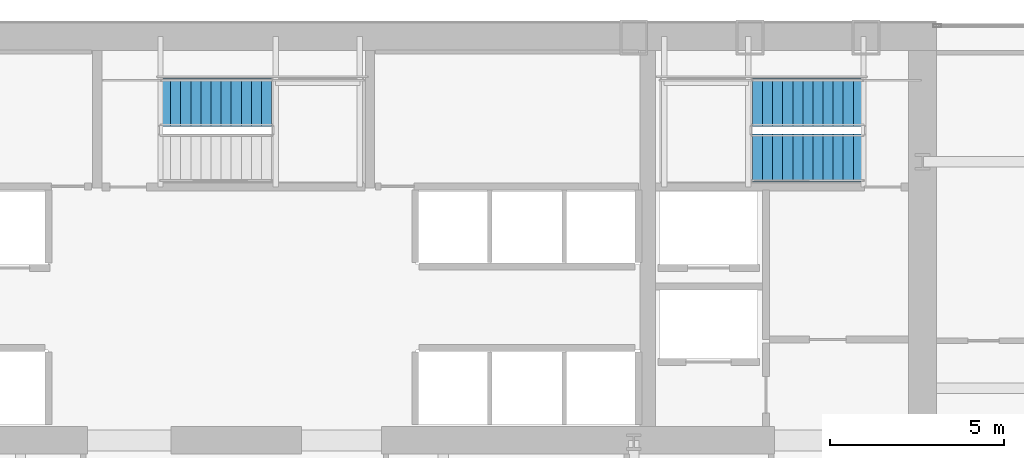
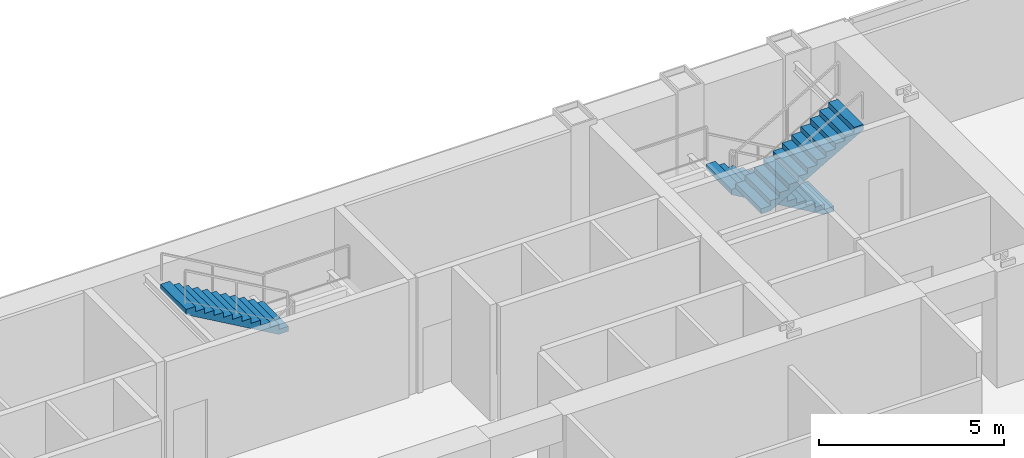
# One storey, part 30 of 32: 3 stair flights, 2 elements without a shape of their own.
"""IFC4 building model written with IfcOpenShell, lengths in metres."""

from ifc_helpers import new_model, si_unit, direction, frame, origin, place, context, subcontext, project, spatial, polyline, outline, extrude, material, type_object, element, aggregate, save


model = new_model("IFC4")

# Units and contexts
model_context = context("Model", 3, precision=1e-05, world=origin(), true_north=direction((0.0, 1.0)))
body_context = subcontext(model_context, "Body", "Model", "MODEL_VIEW")
ifc_project = project(units=[si_unit("LENGTHUNIT", "METRE"), si_unit("AREAUNIT", "SQUARE_METRE"), si_unit("VOLUMEUNIT", "CUBIC_METRE"), si_unit("PLANEANGLEUNIT", "RADIAN"), si_unit("MASSUNIT", "GRAM", prefix="KILO")], contexts=[model_context])

# Site, building, storey
site_placement = place(None, origin())
site = spatial("IfcSite", under=ifc_project, at=site_placement, CompositionType="ELEMENT")
building_placement = place(site_placement, origin())
building = spatial("IfcBuilding", under=site, at=building_placement, Name="Khoronbel Lancet Exchange", CompositionType="ELEMENT")
storey_placement = place(building_placement, frame((0.0, 0.0, 65.800048828125)))
storey = spatial("IfcBuildingStorey", under=building, at=storey_placement, Name="L15", CompositionType="ELEMENT", Elevation=65.800048828125)

# Stair, stair flights
ifc_material = material(Name="Concrete C40/50", Category="concrete")
stair_type = type_object("IfcStairType", Name="STR-CORE150", PredefinedType="HALF_TURN_STAIR", material=ifc_material)
stair_1_placement = place(storey_placement, origin())
stair_1 = element("IfcStair", 1, at=stair_1_placement, inside=storey, type_object=stair_type, Name="L15 Protected Exit Stair ST2", PredefinedType="HALF_TURN_STAIR")
stair_flight_type = type_object("IfcStairFlightType", Name="STF-150", PredefinedType="STRAIGHT", material=ifc_material)
stair_flight_1_placement = place(storey_placement, frame((54.60009765625, 51.409912109375, 0.0), z_axis=(0.0, 0.0, 1.0), x_axis=(-1.0, 0.0, 0.0)))
stair_flight_1 = element("IfcStairFlight", 2, at=stair_flight_1_placement, type_object=stair_flight_type, Name="ST2 flight 1", NumberOfRisers=12, NumberOfTreads=11, PredefinedType="STRAIGHT", RiserHeight=0.166666667, TreadLength=0.29, context=body_context, shape_type="SweptSolid", body=[
    extrude(outline(polyline([(0.0, 0.0), (0.0, 0.166748046875), (0.2900390625, 0.166748046875), (0.2900390625, 0.333251953125), (0.580078125, 0.333251953125), (0.580078125, 0.5), (0.8701171875, 0.5), (0.8701171875, 0.666748046875), (1.159912109375, 0.666748046875), (1.159912109375, 0.833251953125), (1.449951171875, 0.833251953125), (1.449951171875, 1.0), (1.739990234375, 1.0), (1.739990234375, 1.166748046875), (2.030029296875, 1.166748046875), (2.030029296875, 1.333251953125), (2.320068359375, 1.333251953125), (2.320068359375, 1.5), (2.610107421875, 1.5), (2.610107421875, 1.666748046875), (2.89990234375, 1.666748046875), (2.89990234375, 1.833251953125), (3.18994140625, 1.833251953125), (3.18994140625, 2.0), (3.18994140625, 1.660400390625), (0.30078125, 0.0), (0.0, 0.0)])), frame((0.0, 0.68994140625, 0.0), z_axis=(0.0, -1.0, 0.0), x_axis=(1.0, 0.0, 0.0)), (0.0, 0.0, 1.0), 1.3798828125),
])
stair_flight_2_placement = place(storey_placement, frame((51.409912109375, 49.81005859375, 2.0), z_axis=(0.0, 0.0, 1.0), x_axis=(1.0, 0.0, 0.0)))
stair_flight_2 = element("IfcStairFlight", 3, at=stair_flight_2_placement, type_object=stair_flight_type, Name="ST2 flight 2", NumberOfRisers=12, NumberOfTreads=11, PredefinedType="STRAIGHT", RiserHeight=0.166666667, TreadLength=0.29, context=body_context, shape_type="SweptSolid", body=[
    extrude(outline(polyline([(0.0, 0.0), (0.0, 0.166748046875), (0.2900390625, 0.166748046875), (0.2900390625, 0.333251953125), (0.580078125, 0.333251953125), (0.580078125, 0.5), (0.8701171875, 0.5), (0.8701171875, 0.666748046875), (1.159912109375, 0.666748046875), (1.159912109375, 0.833251953125), (1.449951171875, 0.833251953125), (1.449951171875, 1.0), (1.739990234375, 1.0), (1.739990234375, 1.166748046875), (2.030029296875, 1.166748046875), (2.030029296875, 1.333251953125), (2.320068359375, 1.333251953125), (2.320068359375, 1.5), (2.610107421875, 1.5), (2.610107421875, 1.666748046875), (2.89990234375, 1.666748046875), (2.89990234375, 1.833251953125), (3.18994140625, 1.833251953125), (3.18994140625, 2.0), (3.18994140625, 1.660400390625), (0.30078125, 0.0), (0.0, 0.0)])), frame((0.0, 0.68994140625, 0.0), z_axis=(0.0, -1.0, 0.0), x_axis=(1.0, 0.0, 0.0)), (0.0, 0.0, 1.0), 1.3798828125),
])
aggregate(stair_1, [stair_flight_1, stair_flight_2])

# Stair, stair flight
stair_2_placement = place(storey_placement, origin())
stair_2 = element("IfcStair", 4, at=stair_2_placement, inside=storey, type_object=stair_type, Name="L15 Protected Exit Stair ST3", PredefinedType="HALF_TURN_STAIR")
stair_flight_3_placement = place(storey_placement, frame((37.590087890625, 51.409912109375, 2.0), z_axis=(0.0, 0.0, 1.0), x_axis=(-1.0, 0.0, 0.0)))
stair_flight_3 = element("IfcStairFlight", 5, at=stair_flight_3_placement, type_object=stair_flight_type, Name="ST3 flight 2", NumberOfRisers=12, NumberOfTreads=11, PredefinedType="STRAIGHT", RiserHeight=0.166666667, TreadLength=0.29, context=body_context, shape_type="SweptSolid", body=[
    extrude(outline(polyline([(0.0, 0.0), (0.0, 0.166748046875), (0.2900390625, 0.166748046875), (0.2900390625, 0.333251953125), (0.580078125, 0.333251953125), (0.580078125, 0.5), (0.8701171875, 0.5), (0.8701171875, 0.666748046875), (1.159912109375, 0.666748046875), (1.159912109375, 0.833251953125), (1.449951171875, 0.833251953125), (1.449951171875, 1.0), (1.739990234375, 1.0), (1.739990234375, 1.166748046875), (2.030029296875, 1.166748046875), (2.030029296875, 1.333251953125), (2.320068359375, 1.333251953125), (2.320068359375, 1.5), (2.610107421875, 1.5), (2.610107421875, 1.666748046875), (2.89990234375, 1.666748046875), (2.89990234375, 1.833251953125), (3.18994140625, 1.833251953125), (3.18994140625, 2.0), (3.18994140625, 1.660400390625), (0.30078125, 0.0), (0.0, 0.0)])), frame((0.0, 0.68994140625, 0.0), z_axis=(0.0, -1.0, 0.0), x_axis=(1.0, 0.0, 0.0)), (0.0, 0.0, 1.0), 1.3798828125),
])
aggregate(stair_2, [stair_flight_3])

save(model, "model.ifc")
